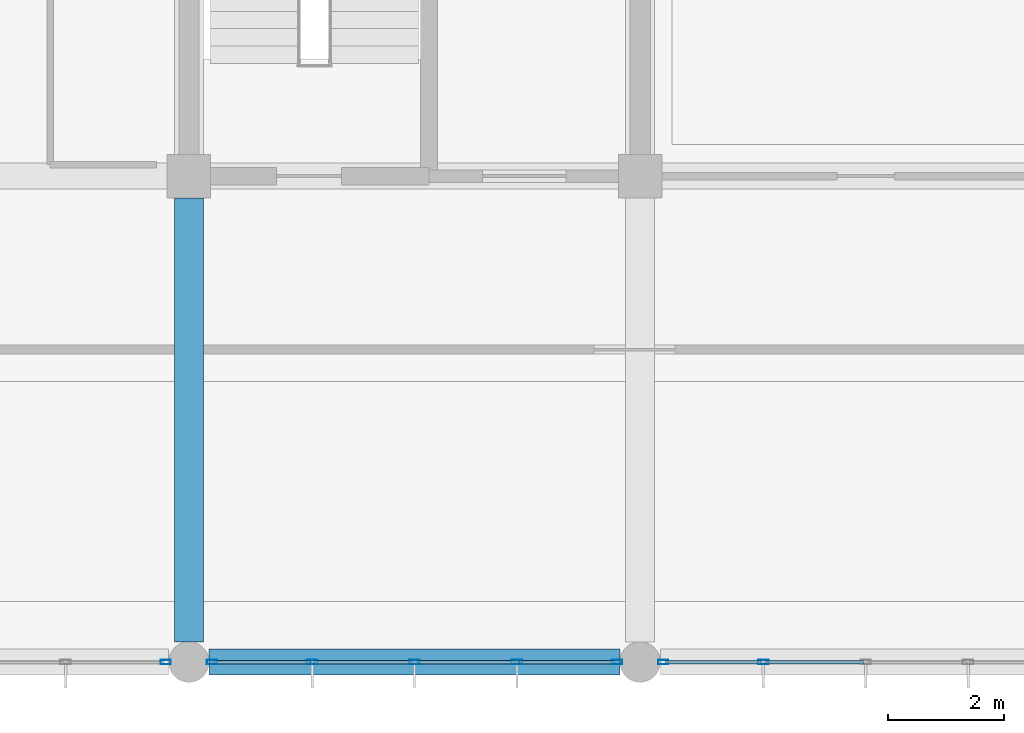
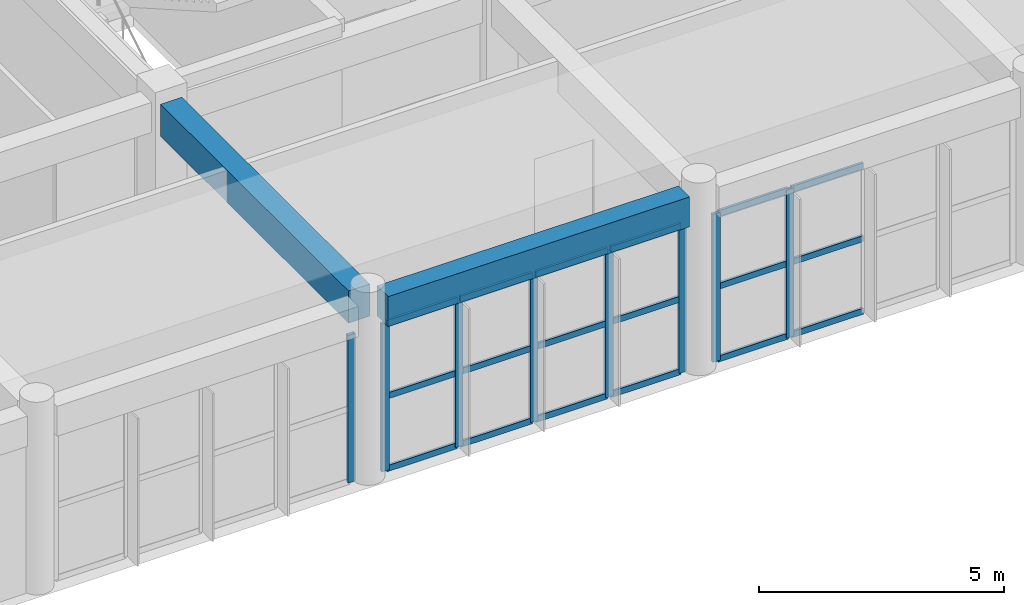
# One storey, part 28 of 175: 26 members, 2 beams, 3 elements without a shape of their own.
"""IFC4 building model written with IfcOpenShell, lengths in metres."""

from ifc_helpers import new_model, si_unit, direction, frame, origin, origin_2d, place, context, subcontext, project, spatial, rectangle, hollow_rectangle, extrude, material, layer, layer_set, material_profile, profile_set, type_object, element, aggregate, save


model = new_model("IFC4")

# Units and contexts
model_context = context("Model", 3, precision=1e-05, world=origin(), true_north=direction((0.0, 1.0)))
body_context = subcontext(model_context, "Body", "Model", "MODEL_VIEW")
ifc_project = project(units=[si_unit("LENGTHUNIT", "METRE"), si_unit("AREAUNIT", "SQUARE_METRE"), si_unit("VOLUMEUNIT", "CUBIC_METRE"), si_unit("PLANEANGLEUNIT", "RADIAN"), si_unit("MASSUNIT", "GRAM", prefix="KILO")], contexts=[model_context])

# Site, building, storey
site_placement = place(None, origin())
site = spatial("IfcSite", under=ifc_project, at=site_placement, CompositionType="ELEMENT")
building_placement = place(site_placement, origin())
building = spatial("IfcBuilding", under=site, at=building_placement, Name="Zizhar Promenade General Hospital", CompositionType="ELEMENT")
storey_placement = place(building_placement, frame((0.0, 0.0, 4.800048828125)))
storey = spatial("IfcBuildingStorey", under=building, at=storey_placement, Name="L01", CompositionType="ELEMENT", Elevation=4.800048828125)

# Beams
ifc_material_1 = material(Name="Concrete C35/45", Category="concrete")
ifc_material_profile_1 = material_profile(ifc_material_1, rectangle(XDim=0.449951171875, YDim=0.75, at=origin_2d()))
ifc_profile_set_1 = profile_set([ifc_material_profile_1], Name="Concrete C35/45")
beam_type_1 = type_object("IfcBeamType", Name="BM-RC-450x750", PredefinedType="BEAM", material=ifc_profile_set_1)
beam_1_placement = place(storey_placement, frame((62.75, 0.0, 4.094970703125), z_axis=(1.0, 0.0, 0.0), x_axis=(0.0, 1.0, 0.0)))
element("IfcBeam", 1, at=beam_1_placement, inside=storey, type_object=beam_type_1, Name="Grid Beam X L01 (8-0)", PredefinedType="BEAM", context=body_context, shape_type="SweptSolid", body=[
    extrude(rectangle(XDim=0.449951171875, YDim=0.75, at=origin_2d()), origin(), (0.0, 0.0, 1.0), 7.10009765625),
])
ifc_material_2 = material(Name="Concrete C35/45", Category="concrete")
ifc_material_profile_2 = material_profile(ifc_material_2, rectangle(XDim=0.5, YDim=0.800048828125, at=origin_2d()))
ifc_profile_set_2 = profile_set([ifc_material_profile_2], Name="Concrete C35/45")
beam_type_2 = type_object("IfcBeamType", Name="BM-RC-500x800", PredefinedType="BEAM", material=ifc_profile_set_2)
beam_2_placement = place(storey_placement, frame((62.39990234375, 0.35009765625, 4.070068359375), z_axis=(0.0, 1.0, 0.0), x_axis=(-1.0, 0.0, 0.0)))
element("IfcBeam", 2, at=beam_2_placement, inside=storey, type_object=beam_type_2, Name="Grid Beam Y L01 (8-0)", PredefinedType="BEAM", context=body_context, shape_type="SweptSolid", body=[
    extrude(rectangle(XDim=0.5, YDim=0.800048828125, at=origin_2d()), origin(), (0.0, 0.0, 1.0), 7.6748046875),
])

# Curtain wall, member
ifc_material_3 = material(Name="Anodised aluminium 6063-T6 and low-E glass", Category="aluminium")
ifc_layer = layer(ifc_material_3, 0.159912109375)
ifc_layer_set = layer_set([ifc_layer], Name="Anodised aluminium 6063-T6 and low-E glass")
curtain_wall_type = type_object("IfcCurtainWallType", Name="CW-DT-MOD1", PredefinedType="NOTDEFINED", material=ifc_layer_set)
curtain_wall_1_placement = place(storey_placement, origin())
curtain_wall_1 = element("IfcCurtainWall", 3, at=curtain_wall_1_placement, inside=storey, type_object=curtain_wall_type, Name="Riverfront Clinical Curtain Wall L01-6", PredefinedType="NOTDEFINED")
ifc_material_4 = material(Name="Anodised aluminium 6063-T6", Category="aluminium")
ifc_material_profile_3 = material_profile(ifc_material_4, hollow_rectangle(XDim=0.080078125, YDim=0.179931640625, WallThickness=0.0048828125, at=origin_2d()))
ifc_profile_set_3 = profile_set([ifc_material_profile_3], Name="Anodised aluminium 6063-T6")
member_type_1 = type_object("IfcMemberType", Name="CWM-ALU-180x80", PredefinedType="MULLION", material=ifc_profile_set_3)
member_1_placement = place(storey_placement, frame((62.0, 0.0, 0.0), z_axis=(0.0, 0.0, 1.0), x_axis=(0.0, -1.0, 0.0)))
member_1 = element("IfcMember", 4, at=member_1_placement, type_object=member_type_1, Name="CW-07 mullion 1", PredefinedType="MULLION", context=body_context, shape_type="SweptSolid", body=[
    extrude(hollow_rectangle(XDim=0.080078125, YDim=0.179931640625, WallThickness=0.0048828125, at=origin_2d()), origin(), (0.0, 0.0, 1.0), 3.679931640625),
])
aggregate(curtain_wall_1, [member_1])

# Curtain wall, members
curtain_wall_2_placement = place(storey_placement, origin())
curtain_wall_2 = element("IfcCurtainWall", 5, at=curtain_wall_2_placement, inside=storey, type_object=curtain_wall_type, Name="Riverfront Clinical Curtain Wall L01-7", PredefinedType="NOTDEFINED")
member_2_placement = place(storey_placement, frame((69.800048828125, 0.0, 0.0), z_axis=(0.0, 0.0, 1.0), x_axis=(0.0, -1.0, 0.0)))
member_2 = element("IfcMember", 6, at=member_2_placement, type_object=member_type_1, Name="CW-07 mullion 1", PredefinedType="MULLION", context=body_context, shape_type="SweptSolid", body=[
    extrude(hollow_rectangle(XDim=0.080078125, YDim=0.179931640625, WallThickness=0.0048828125, at=origin_2d()), origin(), (0.0, 0.0, 1.0), 3.679931640625),
])
member_3_placement = place(storey_placement, frame((68.070068359375, 0.0, 0.0), z_axis=(0.0, 0.0, 1.0), x_axis=(0.0, -1.0, 0.0)))
member_3 = element("IfcMember", 7, at=member_3_placement, type_object=member_type_1, Name="CW-07 mullion 2", PredefinedType="MULLION", context=body_context, shape_type="SweptSolid", body=[
    extrude(hollow_rectangle(XDim=0.080078125, YDim=0.179931640625, WallThickness=0.0048828125, at=origin_2d()), origin(), (0.0, 0.0, 1.0), 3.679931640625),
])
member_4_placement = place(storey_placement, frame((66.300048828125, 0.0, 0.0), z_axis=(0.0, 0.0, 1.0), x_axis=(0.0, -1.0, 0.0)))
member_4 = element("IfcMember", 8, at=member_4_placement, type_object=member_type_1, Name="CW-07 mullion 3", PredefinedType="MULLION", context=body_context, shape_type="SweptSolid", body=[
    extrude(hollow_rectangle(XDim=0.080078125, YDim=0.179931640625, WallThickness=0.0048828125, at=origin_2d()), origin(), (0.0, 0.0, 1.0), 3.679931640625),
])
member_5_placement = place(storey_placement, frame((64.530029296875, 0.0, 0.0), z_axis=(0.0, 0.0, 1.0), x_axis=(0.0, -1.0, 0.0)))
member_5 = element("IfcMember", 9, at=member_5_placement, type_object=member_type_1, Name="CW-07 mullion 4", PredefinedType="MULLION", context=body_context, shape_type="SweptSolid", body=[
    extrude(hollow_rectangle(XDim=0.080078125, YDim=0.179931640625, WallThickness=0.0048828125, at=origin_2d()), origin(), (0.0, 0.0, 1.0), 3.679931640625),
])
member_6_placement = place(storey_placement, frame((62.800048828125, 0.0, 0.0), z_axis=(0.0, 0.0, 1.0), x_axis=(0.0, -1.0, 0.0)))
member_6 = element("IfcMember", 10, at=member_6_placement, type_object=member_type_1, Name="CW-07 mullion 5", PredefinedType="MULLION", context=body_context, shape_type="SweptSolid", body=[
    extrude(hollow_rectangle(XDim=0.080078125, YDim=0.179931640625, WallThickness=0.0048828125, at=origin_2d()), origin(), (0.0, 0.0, 1.0), 3.679931640625),
])

curtain_wall_3_placement = place(storey_placement, origin())
curtain_wall_3 = element("IfcCurtainWall", 11, at=curtain_wall_3_placement, inside=storey, type_object=curtain_wall_type, Name="Riverfront Clinical Curtain Wall L01-8", PredefinedType="NOTDEFINED")
member_7_placement = place(storey_placement, frame((72.330078125, 0.0, 0.0), z_axis=(0.0, 0.0, 1.0), x_axis=(0.0, -1.0, 0.0)))
member_7 = element("IfcMember", 12, at=member_7_placement, type_object=member_type_1, Name="CW-07 mullion 4", PredefinedType="MULLION", context=body_context, shape_type="SweptSolid", body=[
    extrude(hollow_rectangle(XDim=0.080078125, YDim=0.179931640625, WallThickness=0.0048828125, at=origin_2d()), origin(), (0.0, 0.0, 1.0), 3.679931640625),
])
member_8_placement = place(storey_placement, frame((70.60009765625, 0.0, 0.0), z_axis=(0.0, 0.0, 1.0), x_axis=(0.0, -1.0, 0.0)))
member_8 = element("IfcMember", 13, at=member_8_placement, type_object=member_type_1, Name="CW-07 mullion 5", PredefinedType="MULLION", context=body_context, shape_type="SweptSolid", body=[
    extrude(hollow_rectangle(XDim=0.080078125, YDim=0.179931640625, WallThickness=0.0048828125, at=origin_2d()), origin(), (0.0, 0.0, 1.0), 3.679931640625),
])

# Member
ifc_material_5 = material(Name="Anodised aluminium 6063-T6", Category="aluminium")
ifc_material_profile_4 = material_profile(ifc_material_5, hollow_rectangle(XDim=0.06005859375, YDim=0.14990234375, WallThickness=0.00390625, at=origin_2d()))
ifc_profile_set_4 = profile_set([ifc_material_profile_4], Name="Anodised aluminium 6063-T6")
member_type_2 = type_object("IfcMemberType", Name="CWT-ALU-150x60", PredefinedType="USERDEFINED", material=ifc_profile_set_4)
member_9_placement = place(storey_placement, frame((69.760009765625, 0.0, 0.030029296875), z_axis=(-1.0, 0.0, 0.0), x_axis=(0.0, -1.0, 0.0)))
member_9 = element("IfcMember", 14, at=member_9_placement, type_object=member_type_2, Name="CW-07 transom 1.1", ObjectType="TRANSOM", PredefinedType="USERDEFINED", context=body_context, shape_type="SweptSolid", body=[
    extrude(hollow_rectangle(XDim=0.06005859375, YDim=0.14990234375, WallThickness=0.00390625, at=origin_2d()), origin(), (0.0, 0.0, 1.0), 1.64990234375),
])

member_10_placement = place(storey_placement, frame((69.760009765625, 0.0, 1.83984375), z_axis=(-1.0, 0.0, 0.0), x_axis=(0.0, -1.0, 0.0)))
member_10 = element("IfcMember", 15, at=member_10_placement, type_object=member_type_2, Name="CW-07 transom 1.2", ObjectType="TRANSOM", PredefinedType="USERDEFINED", context=body_context, shape_type="SweptSolid", body=[
    extrude(hollow_rectangle(XDim=0.06005859375, YDim=0.14990234375, WallThickness=0.00390625, at=origin_2d()), origin(), (0.0, 0.0, 1.0), 1.64990234375),
])

member_11_placement = place(storey_placement, frame((69.760009765625, 0.0, 3.64990234375), z_axis=(-1.0, 0.0, 0.0), x_axis=(0.0, -1.0, 0.0)))
member_11 = element("IfcMember", 16, at=member_11_placement, type_object=member_type_2, Name="CW-07 transom 1.3", ObjectType="TRANSOM", PredefinedType="USERDEFINED", context=body_context, shape_type="SweptSolid", body=[
    extrude(hollow_rectangle(XDim=0.06005859375, YDim=0.14990234375, WallThickness=0.00390625, at=origin_2d()), origin(), (0.0, 0.0, 1.0), 1.64990234375),
])

member_12_placement = place(storey_placement, frame((68.030029296875, 0.0, 0.030029296875), z_axis=(-1.0, 0.0, 0.0), x_axis=(0.0, -1.0, 0.0)))
member_12 = element("IfcMember", 17, at=member_12_placement, type_object=member_type_2, Name="CW-07 transom 2.1", ObjectType="TRANSOM", PredefinedType="USERDEFINED", context=body_context, shape_type="SweptSolid", body=[
    extrude(hollow_rectangle(XDim=0.06005859375, YDim=0.14990234375, WallThickness=0.00390625, at=origin_2d()), origin(), (0.0, 0.0, 1.0), 1.68994140625),
])

member_13_placement = place(storey_placement, frame((68.030029296875, 0.0, 1.83984375), z_axis=(-1.0, 0.0, 0.0), x_axis=(0.0, -1.0, 0.0)))
member_13 = element("IfcMember", 18, at=member_13_placement, type_object=member_type_2, Name="CW-07 transom 2.2", ObjectType="TRANSOM", PredefinedType="USERDEFINED", context=body_context, shape_type="SweptSolid", body=[
    extrude(hollow_rectangle(XDim=0.06005859375, YDim=0.14990234375, WallThickness=0.00390625, at=origin_2d()), origin(), (0.0, 0.0, 1.0), 1.68994140625),
])

member_14_placement = place(storey_placement, frame((68.030029296875, 0.0, 3.64990234375), z_axis=(-1.0, 0.0, 0.0), x_axis=(0.0, -1.0, 0.0)))
member_14 = element("IfcMember", 19, at=member_14_placement, type_object=member_type_2, Name="CW-07 transom 2.3", ObjectType="TRANSOM", PredefinedType="USERDEFINED", context=body_context, shape_type="SweptSolid", body=[
    extrude(hollow_rectangle(XDim=0.06005859375, YDim=0.14990234375, WallThickness=0.00390625, at=origin_2d()), origin(), (0.0, 0.0, 1.0), 1.68994140625),
])

member_15_placement = place(storey_placement, frame((66.260009765625, 0.0, 0.030029296875), z_axis=(-1.0, 0.0, 0.0), x_axis=(0.0, -1.0, 0.0)))
member_15 = element("IfcMember", 20, at=member_15_placement, type_object=member_type_2, Name="CW-07 transom 3.1", ObjectType="TRANSOM", PredefinedType="USERDEFINED", context=body_context, shape_type="SweptSolid", body=[
    extrude(hollow_rectangle(XDim=0.06005859375, YDim=0.14990234375, WallThickness=0.00390625, at=origin_2d()), origin(), (0.0, 0.0, 1.0), 1.68994140625),
])

member_16_placement = place(storey_placement, frame((66.260009765625, 0.0, 1.83984375), z_axis=(-1.0, 0.0, 0.0), x_axis=(0.0, -1.0, 0.0)))
member_16 = element("IfcMember", 21, at=member_16_placement, type_object=member_type_2, Name="CW-07 transom 3.2", ObjectType="TRANSOM", PredefinedType="USERDEFINED", context=body_context, shape_type="SweptSolid", body=[
    extrude(hollow_rectangle(XDim=0.06005859375, YDim=0.14990234375, WallThickness=0.00390625, at=origin_2d()), origin(), (0.0, 0.0, 1.0), 1.68994140625),
])

member_17_placement = place(storey_placement, frame((66.260009765625, 0.0, 3.64990234375), z_axis=(-1.0, 0.0, 0.0), x_axis=(0.0, -1.0, 0.0)))
member_17 = element("IfcMember", 22, at=member_17_placement, type_object=member_type_2, Name="CW-07 transom 3.3", ObjectType="TRANSOM", PredefinedType="USERDEFINED", context=body_context, shape_type="SweptSolid", body=[
    extrude(hollow_rectangle(XDim=0.06005859375, YDim=0.14990234375, WallThickness=0.00390625, at=origin_2d()), origin(), (0.0, 0.0, 1.0), 1.68994140625),
])

member_18_placement = place(storey_placement, frame((64.489990234375, 0.0, 0.030029296875), z_axis=(-1.0, 0.0, 0.0), x_axis=(0.0, -1.0, 0.0)))
member_18 = element("IfcMember", 23, at=member_18_placement, type_object=member_type_2, Name="CW-07 transom 4.1", ObjectType="TRANSOM", PredefinedType="USERDEFINED", context=body_context, shape_type="SweptSolid", body=[
    extrude(hollow_rectangle(XDim=0.06005859375, YDim=0.14990234375, WallThickness=0.00390625, at=origin_2d()), origin(), (0.0, 0.0, 1.0), 1.64990234375),
])

member_19_placement = place(storey_placement, frame((64.489990234375, 0.0, 1.83984375), z_axis=(-1.0, 0.0, 0.0), x_axis=(0.0, -1.0, 0.0)))
member_19 = element("IfcMember", 24, at=member_19_placement, type_object=member_type_2, Name="CW-07 transom 4.2", ObjectType="TRANSOM", PredefinedType="USERDEFINED", context=body_context, shape_type="SweptSolid", body=[
    extrude(hollow_rectangle(XDim=0.06005859375, YDim=0.14990234375, WallThickness=0.00390625, at=origin_2d()), origin(), (0.0, 0.0, 1.0), 1.64990234375),
])

member_20_placement = place(storey_placement, frame((64.489990234375, 0.0, 3.64990234375), z_axis=(-1.0, 0.0, 0.0), x_axis=(0.0, -1.0, 0.0)))
member_20 = element("IfcMember", 25, at=member_20_placement, type_object=member_type_2, Name="CW-07 transom 4.3", ObjectType="TRANSOM", PredefinedType="USERDEFINED", context=body_context, shape_type="SweptSolid", body=[
    extrude(hollow_rectangle(XDim=0.06005859375, YDim=0.14990234375, WallThickness=0.00390625, at=origin_2d()), origin(), (0.0, 0.0, 1.0), 1.64990234375),
])

aggregate(curtain_wall_2, [member_2, member_3, member_4, member_5, member_6, member_9, member_10, member_11, member_12, member_13, member_14, member_15, member_16, member_17, member_18, member_19, member_20])

member_21_placement = place(storey_placement, frame((74.06005859375, 0.0, 0.030029296875), z_axis=(-1.0, 0.0, 0.0), x_axis=(0.0, -1.0, 0.0)))
member_21 = element("IfcMember", 26, at=member_21_placement, type_object=member_type_2, Name="CW-07 transom 3.1", ObjectType="TRANSOM", PredefinedType="USERDEFINED", context=body_context, shape_type="SweptSolid", body=[
    extrude(hollow_rectangle(XDim=0.06005859375, YDim=0.14990234375, WallThickness=0.00390625, at=origin_2d()), origin(), (0.0, 0.0, 1.0), 1.68994140625),
])

member_22_placement = place(storey_placement, frame((74.06005859375, 0.0, 1.83984375), z_axis=(-1.0, 0.0, 0.0), x_axis=(0.0, -1.0, 0.0)))
member_22 = element("IfcMember", 27, at=member_22_placement, type_object=member_type_2, Name="CW-07 transom 3.2", ObjectType="TRANSOM", PredefinedType="USERDEFINED", context=body_context, shape_type="SweptSolid", body=[
    extrude(hollow_rectangle(XDim=0.06005859375, YDim=0.14990234375, WallThickness=0.00390625, at=origin_2d()), origin(), (0.0, 0.0, 1.0), 1.68994140625),
])

member_23_placement = place(storey_placement, frame((74.06005859375, 0.0, 3.64990234375), z_axis=(-1.0, 0.0, 0.0), x_axis=(0.0, -1.0, 0.0)))
member_23 = element("IfcMember", 28, at=member_23_placement, type_object=member_type_2, Name="CW-07 transom 3.3", ObjectType="TRANSOM", PredefinedType="USERDEFINED", context=body_context, shape_type="SweptSolid", body=[
    extrude(hollow_rectangle(XDim=0.06005859375, YDim=0.14990234375, WallThickness=0.00390625, at=origin_2d()), origin(), (0.0, 0.0, 1.0), 1.68994140625),
])

member_24_placement = place(storey_placement, frame((72.2900390625, 0.0, 0.030029296875), z_axis=(-1.0, 0.0, 0.0), x_axis=(0.0, -1.0, 0.0)))
member_24 = element("IfcMember", 29, at=member_24_placement, type_object=member_type_2, Name="CW-07 transom 4.1", ObjectType="TRANSOM", PredefinedType="USERDEFINED", context=body_context, shape_type="SweptSolid", body=[
    extrude(hollow_rectangle(XDim=0.06005859375, YDim=0.14990234375, WallThickness=0.00390625, at=origin_2d()), origin(), (0.0, 0.0, 1.0), 1.650146484375),
])

member_25_placement = place(storey_placement, frame((72.2900390625, 0.0, 1.83984375), z_axis=(-1.0, 0.0, 0.0), x_axis=(0.0, -1.0, 0.0)))
member_25 = element("IfcMember", 30, at=member_25_placement, type_object=member_type_2, Name="CW-07 transom 4.2", ObjectType="TRANSOM", PredefinedType="USERDEFINED", context=body_context, shape_type="SweptSolid", body=[
    extrude(hollow_rectangle(XDim=0.06005859375, YDim=0.14990234375, WallThickness=0.00390625, at=origin_2d()), origin(), (0.0, 0.0, 1.0), 1.650146484375),
])

member_26_placement = place(storey_placement, frame((72.2900390625, 0.0, 3.64990234375), z_axis=(-1.0, 0.0, 0.0), x_axis=(0.0, -1.0, 0.0)))
member_26 = element("IfcMember", 31, at=member_26_placement, type_object=member_type_2, Name="CW-07 transom 4.3", ObjectType="TRANSOM", PredefinedType="USERDEFINED", context=body_context, shape_type="SweptSolid", body=[
    extrude(hollow_rectangle(XDim=0.06005859375, YDim=0.14990234375, WallThickness=0.00390625, at=origin_2d()), origin(), (0.0, 0.0, 1.0), 1.650146484375),
])

aggregate(curtain_wall_3, [member_7, member_8, member_21, member_22, member_23, member_24, member_25, member_26])

save(model, "model.ifc")
